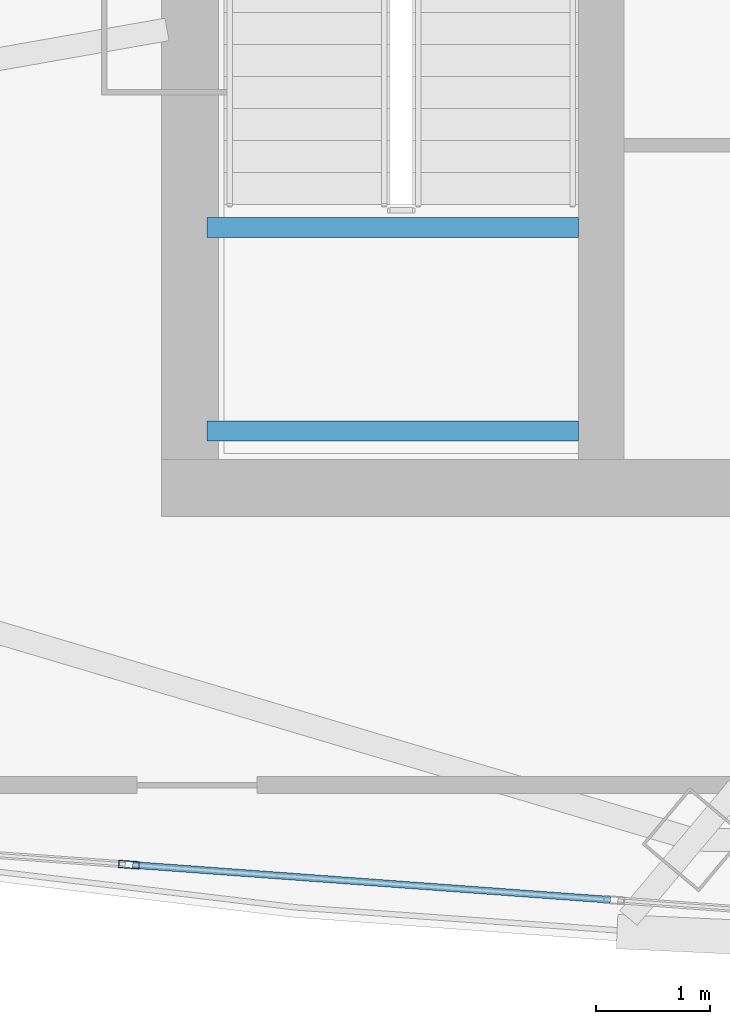
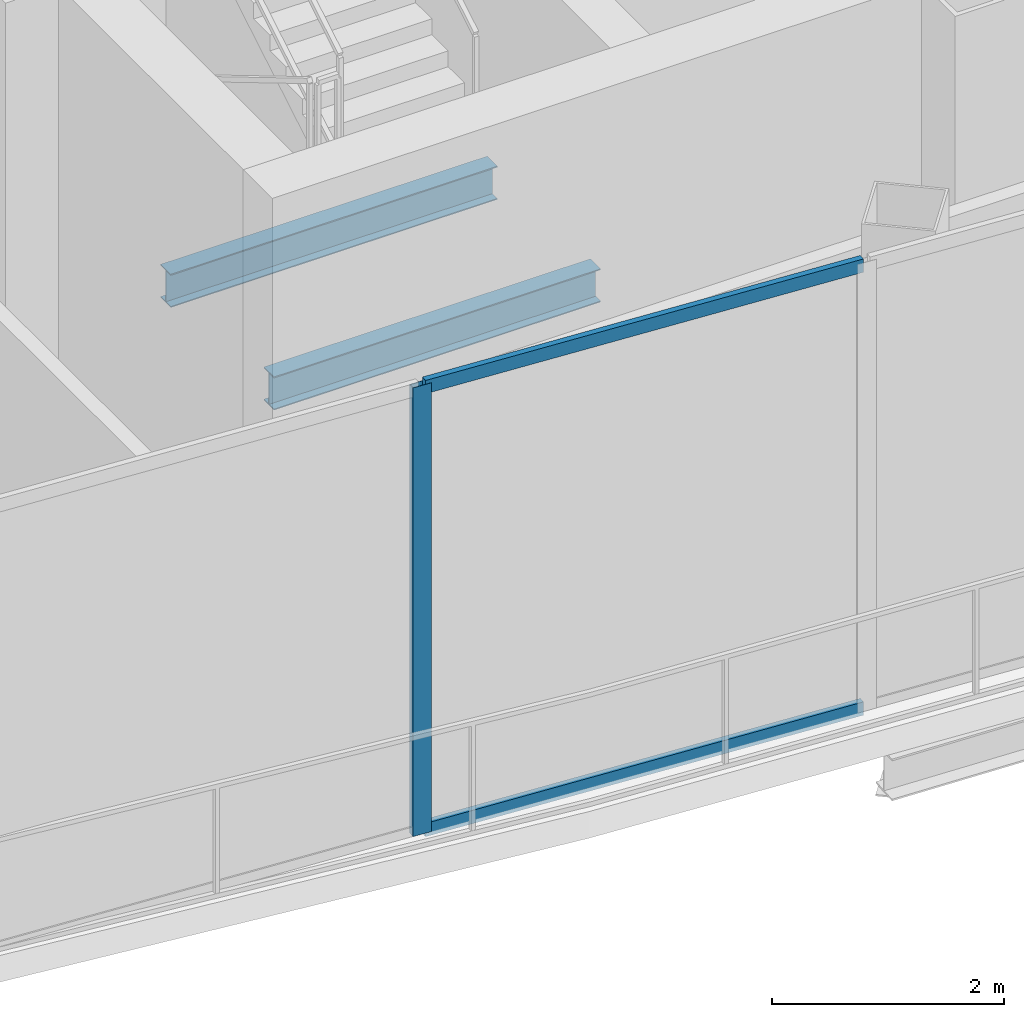
# One storey, part 5 of 33: 3 members, 2 beams, 1 element without a shape of its own.
"""IFC4 building model written with IfcOpenShell, lengths in metres."""

from ifc_helpers import new_model, si_unit, direction, frame, origin, origin_2d, place, context, subcontext, project, spatial, hollow_rectangle, i_section, extrude, source, transform, mapped, material, layer, layer_set, material_profile, profile_set, type_object, element, aggregate, save


model = new_model("IFC4")

# Units and contexts
model_context = context("Model", 3, precision=1e-05, world=origin(), true_north=direction((0.0, 1.0)))
body_context = subcontext(model_context, "Body", "Model", "MODEL_VIEW")
ifc_project = project(units=[si_unit("LENGTHUNIT", "METRE"), si_unit("AREAUNIT", "SQUARE_METRE"), si_unit("VOLUMEUNIT", "CUBIC_METRE"), si_unit("PLANEANGLEUNIT", "RADIAN"), si_unit("MASSUNIT", "GRAM", prefix="KILO"), si_unit("THERMODYNAMICTEMPERATUREUNIT", "KELVIN"), si_unit("POWERUNIT", "WATT")], contexts=[model_context])

# Site, building, storey
site_placement = place(None, origin())
site = spatial("IfcSite", under=ifc_project, at=site_placement, CompositionType="ELEMENT")
building_placement = place(site_placement, origin())
building = spatial("IfcBuilding", under=site, at=building_placement, Name="Yunzhuo Pagoda Commons", CompositionType="ELEMENT")
storey_placement = place(building_placement, frame((0.0, 0.0, 386.760009765625)))
storey = spatial("IfcBuildingStorey", under=building, at=storey_placement, Name="L96", CompositionType="ELEMENT", Elevation=386.760009765625)

# Beams
ifc_material_1 = material(Name="Structural steel Q355B", Category="steel")
ifc_material_profile_1 = material_profile(ifc_material_1, i_section(OverallWidth=0.175048828125, OverallDepth=0.35009765625, WebThickness=0.007080078125, FlangeThickness=0.010986328125, at=origin_2d()), Name="Structural steel Q355B")
ifc_profile_set_1 = profile_set([ifc_material_profile_1], Name="Structural steel Q355B")
beam_type = type_object("IfcBeamType", Name="B-JS2 Joist HN 350x175x7x11", PredefinedType="JOIST", material=ifc_profile_set_1)
shared_shape_1 = source(origin(), body_context, "Body", "SweptSolid", [
    extrude(i_section(OverallWidth=0.175048828125, OverallDepth=0.35009765625, WebThickness=0.007080078125, FlangeThickness=0.010986328125, at=origin_2d()), origin(), (0.0, 0.0, 1.0), 3.25),
])
for number, where, z_axis, x_axis, name in (
    (1, (35.949951171875, 28.0, 2.125), (1.0, 0.0, 0.0), (0.0, 1.0, 0.0), "L96 ST1 landing support beam 102A"),
    (2, (35.949951171875, 29.780029296875, 2.125), (1.0, 0.0, 0.0), (0.0, 1.0, 0.0), "L96 ST1 landing support beam 102B"),
):
    element("IfcBeam", number, at=place(storey_placement, frame(where, z_axis=z_axis, x_axis=x_axis)), inside=storey, type_object=beam_type, Name=name, PredefinedType="JOIST", context=body_context, shape_type="MappedRepresentation", body=[
        mapped(shared_shape_1, transform((0.0, 0.0, 0.0), scale=1.0)),
    ])

# Curtain wall, members
ifc_material_2 = material(Name="Anodized aluminium 6063-T6", Category="aluminium")
ifc_layer = layer(ifc_material_2, 0.179931640625)
ifc_layer_set = layer_set([ifc_layer], Name="Anodized aluminium 6063-T6")
curtain_wall_type = type_object("IfcCurtainWallType", Name="CW-CRN Crown Gable Glazing System", PredefinedType="NOTDEFINED", material=ifc_layer_set)
curtain_wall_placement = place(storey_placement, origin())
curtain_wall = element("IfcCurtainWall", 3, at=curtain_wall_placement, inside=storey, type_object=curtain_wall_type, Name="L96 curtain wall CW-L96-CRNF1G1", PredefinedType="NOTDEFINED")
ifc_material_profile_2 = material_profile(ifc_material_2, hollow_rectangle(XDim=0.06494140625, YDim=0.179931640625, WallThickness=0.00390625, at=origin_2d()), Name="Anodized aluminium 6063-T6")
ifc_profile_set_2 = profile_set([ifc_material_profile_2], Name="Anodized aluminium 6063-T6")
member_type_1 = type_object("IfcMemberType", Name="CW-CRN-M Mullion RHS 180x65x4", PredefinedType="MULLION", material=ifc_profile_set_2)
shared_shape_2 = source(origin(), body_context, "Body", "SweptSolid", [
    extrude(hollow_rectangle(XDim=0.06494140625, YDim=0.179931640625, WallThickness=0.00390625, at=origin_2d()), origin(), (0.0, 0.0, 1.0), 4.72021484375),
])
member_1_placement = place(storey_placement, frame((35.267333984375, 24.20361328125, 0.0), z_axis=(0.0, 0.0, 1.0), x_axis=(0.072795570763, 0.997346882924, 0.0)))
member_1 = element("IfcMember", 4, at=member_1_placement, type_object=member_type_1, Name="CW mullion 2", PredefinedType="MULLION", context=body_context, shape_type="MappedRepresentation", body=[
    mapped(shared_shape_2, transform((0.0, 0.0, 0.0), scale=1.0)),
])
ifc_material_profile_3 = material_profile(ifc_material_2, hollow_rectangle(XDim=0.06005859375, YDim=0.139892578125, WallThickness=0.00341796875, at=origin_2d()), Name="Anodized aluminium 6063-T6")
ifc_profile_set_3 = profile_set([ifc_material_profile_3], Name="Anodized aluminium 6063-T6")
member_type_2 = type_object("IfcMemberType", Name="CW-CRN-T Transom RHS 140x60x3.5", PredefinedType="USERDEFINED", material=ifc_profile_set_3)
shared_shape_3 = source(origin(), body_context, "Body", "SweptSolid", [
    extrude(hollow_rectangle(XDim=0.06005859375, YDim=0.139892578125, WallThickness=0.00341796875, at=origin_2d()), origin(), (0.0, 0.0, 1.0), 4.1923828125),
])
member_2_placement = place(storey_placement, frame((35.2998046875, 24.201171875, 0.030029296875), z_axis=(0.997346939481, -0.072794795886, 0.0), x_axis=(0.072794795886, 0.997346939481, 0.0)))
member_2 = element("IfcMember", 5, at=member_2_placement, type_object=member_type_2, Name="CW transom 2.1", ObjectType="TRANSOM", PredefinedType="USERDEFINED", context=body_context, shape_type="MappedRepresentation", body=[
    mapped(shared_shape_3, transform((0.0, 0.0, 0.0), scale=1.0)),
])
member_3_placement = place(storey_placement, frame((35.2998046875, 24.201171875, 4.68994140625), z_axis=(0.997346939481, -0.072794795886, 0.0), x_axis=(0.072794795886, 0.997346939481, 0.0)))
member_3 = element("IfcMember", 6, at=member_3_placement, type_object=member_type_2, Name="CW transom 2.2", ObjectType="TRANSOM", PredefinedType="USERDEFINED", context=body_context, shape_type="MappedRepresentation", body=[
    mapped(shared_shape_3, transform((0.0, 0.0, 0.0), scale=1.0)),
])
aggregate(curtain_wall, [member_1, member_2, member_3])

save(model, "model.ifc")
